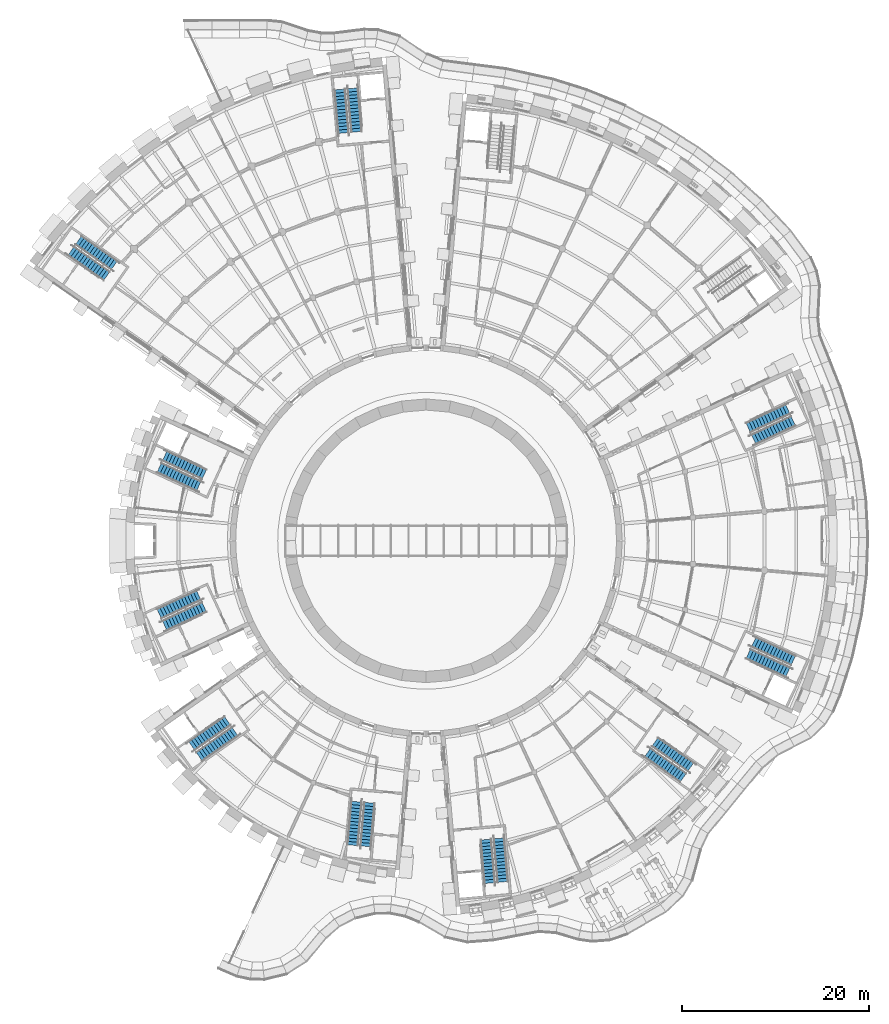
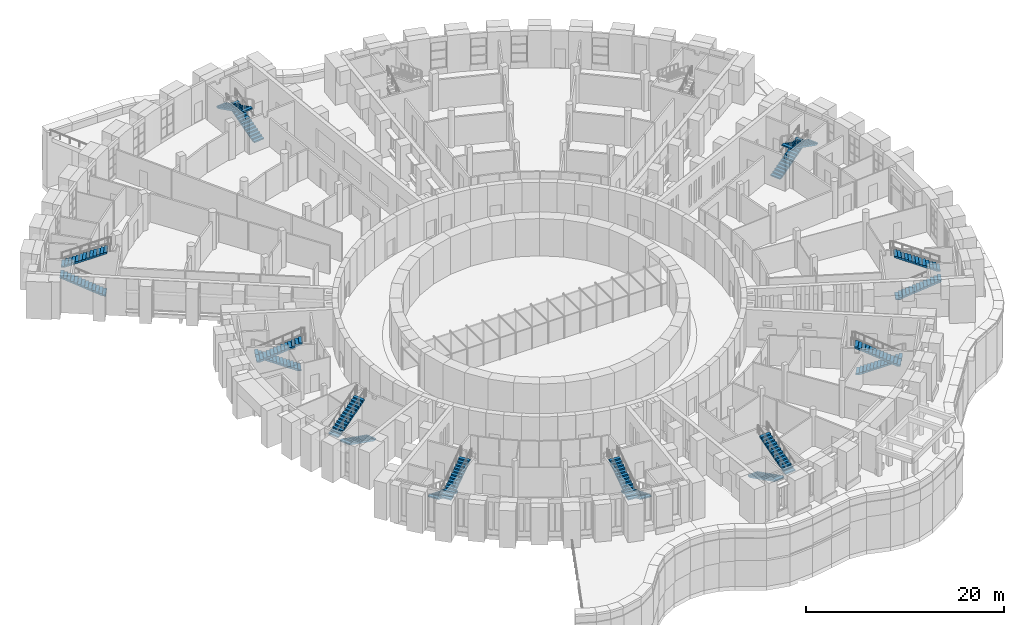
# One storey, part 62 of 85: 20 stair flights, 10 elements without a shape of their own.
"""IFC4 building model written with IfcOpenShell, lengths in metres."""

from ifc_helpers import new_model, si_unit, direction, frame, origin, place, context, subcontext, project, spatial, polyline, outline, extrude, material, type_object, element, aggregate, save


model = new_model("IFC4")

# Units and contexts
model_context = context("Model", 3, precision=1e-05, world=origin(), true_north=direction((0.0, 1.0)))
body_context = subcontext(model_context, "Body", "Model", "MODEL_VIEW")
ifc_project = project(units=[si_unit("LENGTHUNIT", "METRE"), si_unit("AREAUNIT", "SQUARE_METRE"), si_unit("VOLUMEUNIT", "CUBIC_METRE"), si_unit("PLANEANGLEUNIT", "RADIAN"), si_unit("MASSUNIT", "GRAM", prefix="KILO")], contexts=[model_context])

# Site, building, storey
site_placement = place(None, origin())
site = spatial("IfcSite", under=ifc_project, at=site_placement, CompositionType="ELEMENT")
building_placement = place(site_placement, origin())
building = spatial("IfcBuilding", under=site, at=building_placement, Name="Volute Hill Aquarium", CompositionType="ELEMENT")
storey_placement = place(building_placement, origin())
storey = spatial("IfcBuildingStorey", under=building, at=storey_placement, Name="L01", CompositionType="ELEMENT", Elevation=0.0)

# Stair, stair flights
ifc_material_1 = material(Name="Concrete C35/45", Category="concrete")
stair_type = type_object("IfcStairType", Name="Stair C35/45", PredefinedType="HALF_TURN_STAIR", material=ifc_material_1)
stair_1_placement = place(storey_placement, origin())
stair_1 = element("IfcStair", 1, at=stair_1_placement, inside=storey, type_object=stair_type, Name="ST/S1-A/L01", PredefinedType="HALF_TURN_STAIR")
ifc_material_2 = material(Name="Concrete C35/45", Category="concrete")
stair_flight_type = type_object("IfcStairFlightType", Name="Stair flight C35/45", PredefinedType="STRAIGHT", material=ifc_material_2)
stair_flight_1_placement = place(storey_placement, frame((-23.771240234375, 7.112548828125, 0.0), z_axis=(0.0, 0.0, 1.0), x_axis=(-0.906331248317, 0.422567945217, 0.0)))
stair_flight_1 = element("IfcStairFlight", 2, at=stair_flight_1_placement, type_object=stair_flight_type, Name="ST-S1-A-01 flight 1", NumberOfRisers=14, NumberOfTreads=13, PredefinedType="STRAIGHT", RiserHeight=0.164285714, TreadLength=0.36, context=body_context, shape_type="SweptSolid", body=[
    extrude(outline(polyline([(0.0, 0.0), (0.0, 0.164306640625), (0.360107421875, 0.164306640625), (0.360107421875, 0.32861328125), (0.719970703125, 0.32861328125), (0.719970703125, 0.492919921875), (1.080078125, 0.492919921875), (1.080078125, 0.6572265625), (1.43994140625, 0.6572265625), (1.43994140625, 0.821533203125), (1.800048828125, 0.821533203125), (1.800048828125, 0.985595703125), (2.159912109375, 0.985595703125), (2.159912109375, 1.14990234375), (2.52001953125, 1.14990234375), (2.52001953125, 1.314208984375), (2.8798828125, 1.314208984375), (2.8798828125, 1.478515625), (3.239990234375, 1.478515625), (3.239990234375, 1.642822265625), (3.60009765625, 1.642822265625), (3.60009765625, 1.80712890625), (3.9599609375, 1.80712890625), (3.9599609375, 1.971435546875), (4.320068359375, 1.971435546875), (4.320068359375, 2.1357421875), (4.679931640625, 2.1357421875), (4.679931640625, 2.300048828125), (4.679931640625, 1.970947265625), (0.361083984375, 0.0), (0.0, 0.0)])), frame((0.0, 0.60009765625, 0.0), z_axis=(0.0, -1.0, 0.0), x_axis=(1.0, 0.0, 0.0)), (0.0, 0.0, 1.0), 1.199951171875),
])
stair_flight_2_placement = place(storey_placement, frame((-28.6044921875, 7.821533203125, 2.300048828125), z_axis=(0.0, 0.0, 1.0), x_axis=(0.906331248317, -0.422567945217, 0.0)))
stair_flight_2 = element("IfcStairFlight", 3, at=stair_flight_2_placement, type_object=stair_flight_type, Name="ST-S1-A-01 flight 2", NumberOfRisers=14, NumberOfTreads=13, PredefinedType="STRAIGHT", RiserHeight=0.164285714, TreadLength=0.36, context=body_context, shape_type="SweptSolid", body=[
    extrude(outline(polyline([(0.0, 0.0), (0.0, 0.164306640625), (0.360107421875, 0.164306640625), (0.360107421875, 0.32861328125), (0.719970703125, 0.32861328125), (0.719970703125, 0.492919921875), (1.080078125, 0.492919921875), (1.080078125, 0.6572265625), (1.43994140625, 0.6572265625), (1.43994140625, 0.821533203125), (1.800048828125, 0.821533203125), (1.800048828125, 0.985595703125), (2.159912109375, 0.985595703125), (2.159912109375, 1.14990234375), (2.52001953125, 1.14990234375), (2.52001953125, 1.314208984375), (2.8798828125, 1.314208984375), (2.8798828125, 1.478515625), (3.239990234375, 1.478515625), (3.239990234375, 1.642822265625), (3.60009765625, 1.642822265625), (3.60009765625, 1.80712890625), (3.9599609375, 1.80712890625), (3.9599609375, 1.971435546875), (4.320068359375, 1.971435546875), (4.320068359375, 2.1357421875), (4.679931640625, 2.1357421875), (4.679931640625, 2.300048828125), (4.679931640625, 1.970947265625), (0.361083984375, 0.0), (0.0, 0.0)])), frame((0.0, 0.60009765625, 0.0), z_axis=(0.0, -1.0, 0.0), x_axis=(1.0, 0.0, 0.0)), (0.0, 0.0, 1.0), 1.199951171875),
])
aggregate(stair_1, [stair_flight_1, stair_flight_2])

stair_2_placement = place(storey_placement, origin())
stair_2 = element("IfcStair", 4, at=stair_2_placement, inside=storey, type_object=stair_type, Name="ST/S1-B/L01", PredefinedType="HALF_TURN_STAIR")
stair_flight_3_placement = place(storey_placement, frame((-23.771240234375, -7.112548828125, 0.0), z_axis=(0.0, 0.0, 1.0), x_axis=(-0.906331248317, -0.422567945217, 0.0)))
stair_flight_3 = element("IfcStairFlight", 5, at=stair_flight_3_placement, type_object=stair_flight_type, Name="ST-S1-B-01 flight 1", NumberOfRisers=14, NumberOfTreads=13, PredefinedType="STRAIGHT", RiserHeight=0.164285714, TreadLength=0.36, context=body_context, shape_type="SweptSolid", body=[
    extrude(outline(polyline([(0.0, 0.0), (0.0, 0.164306640625), (0.360107421875, 0.164306640625), (0.360107421875, 0.32861328125), (0.719970703125, 0.32861328125), (0.719970703125, 0.492919921875), (1.080078125, 0.492919921875), (1.080078125, 0.6572265625), (1.43994140625, 0.6572265625), (1.43994140625, 0.821533203125), (1.800048828125, 0.821533203125), (1.800048828125, 0.985595703125), (2.159912109375, 0.985595703125), (2.159912109375, 1.14990234375), (2.52001953125, 1.14990234375), (2.52001953125, 1.314208984375), (2.8798828125, 1.314208984375), (2.8798828125, 1.478515625), (3.239990234375, 1.478515625), (3.239990234375, 1.642822265625), (3.60009765625, 1.642822265625), (3.60009765625, 1.80712890625), (3.9599609375, 1.80712890625), (3.9599609375, 1.971435546875), (4.320068359375, 1.971435546875), (4.320068359375, 2.1357421875), (4.679931640625, 2.1357421875), (4.679931640625, 2.300048828125), (4.679931640625, 1.970947265625), (0.361083984375, 0.0), (0.0, 0.0)])), frame((0.0, 0.60009765625, 0.0), z_axis=(0.0, -1.0, 0.0), x_axis=(1.0, 0.0, 0.0)), (0.0, 0.0, 1.0), 1.199951171875),
])
stair_flight_4_placement = place(storey_placement, frame((-28.6044921875, -7.821533203125, 2.300048828125), z_axis=(0.0, 0.0, 1.0), x_axis=(0.906331248317, 0.422567945217, 0.0)))
stair_flight_4 = element("IfcStairFlight", 6, at=stair_flight_4_placement, type_object=stair_flight_type, Name="ST-S1-B-01 flight 2", NumberOfRisers=14, NumberOfTreads=13, PredefinedType="STRAIGHT", RiserHeight=0.164285714, TreadLength=0.36, context=body_context, shape_type="SweptSolid", body=[
    extrude(outline(polyline([(0.0, 0.0), (0.0, 0.164306640625), (0.360107421875, 0.164306640625), (0.360107421875, 0.32861328125), (0.719970703125, 0.32861328125), (0.719970703125, 0.492919921875), (1.080078125, 0.492919921875), (1.080078125, 0.6572265625), (1.43994140625, 0.6572265625), (1.43994140625, 0.821533203125), (1.800048828125, 0.821533203125), (1.800048828125, 0.985595703125), (2.159912109375, 0.985595703125), (2.159912109375, 1.14990234375), (2.52001953125, 1.14990234375), (2.52001953125, 1.314208984375), (2.8798828125, 1.314208984375), (2.8798828125, 1.478515625), (3.239990234375, 1.478515625), (3.239990234375, 1.642822265625), (3.60009765625, 1.642822265625), (3.60009765625, 1.80712890625), (3.9599609375, 1.80712890625), (3.9599609375, 1.971435546875), (4.320068359375, 1.971435546875), (4.320068359375, 2.1357421875), (4.679931640625, 2.1357421875), (4.679931640625, 2.300048828125), (4.679931640625, 1.970947265625), (0.361083984375, 0.0), (0.0, 0.0)])), frame((0.0, 0.60009765625, 0.0), z_axis=(0.0, -1.0, 0.0), x_axis=(1.0, 0.0, 0.0)), (0.0, 0.0, 1.0), 1.199951171875),
])
aggregate(stair_2, [stair_flight_3, stair_flight_4])

stair_3_placement = place(storey_placement, origin())
stair_3 = element("IfcStair", 7, at=stair_3_placement, inside=storey, type_object=stair_type, Name="ST/S2-A/L01", PredefinedType="HALF_TURN_STAIR")
stair_flight_5_placement = place(storey_placement, frame((-21.281005859375, -19.2958984375, 0.0), z_axis=(0.0, 0.0, 1.0), x_axis=(-0.819203731484, -0.573502612306, 0.0)))
stair_flight_5 = element("IfcStairFlight", 8, at=stair_flight_5_placement, type_object=stair_flight_type, Name="ST-S2-A-01 flight 1", NumberOfRisers=14, NumberOfTreads=13, PredefinedType="STRAIGHT", RiserHeight=0.164285714, TreadLength=0.36, context=body_context, shape_type="SweptSolid", body=[
    extrude(outline(polyline([(0.0, 0.0), (0.0, 0.164306640625), (0.360107421875, 0.164306640625), (0.360107421875, 0.32861328125), (0.719970703125, 0.32861328125), (0.719970703125, 0.492919921875), (1.080078125, 0.492919921875), (1.080078125, 0.6572265625), (1.43994140625, 0.6572265625), (1.43994140625, 0.821533203125), (1.800048828125, 0.821533203125), (1.800048828125, 0.985595703125), (2.159912109375, 0.985595703125), (2.159912109375, 1.14990234375), (2.52001953125, 1.14990234375), (2.52001953125, 1.314208984375), (2.8798828125, 1.314208984375), (2.8798828125, 1.478515625), (3.239990234375, 1.478515625), (3.239990234375, 1.642822265625), (3.60009765625, 1.642822265625), (3.60009765625, 1.80712890625), (3.9599609375, 1.80712890625), (3.9599609375, 1.971435546875), (4.320068359375, 1.971435546875), (4.320068359375, 2.1357421875), (4.679931640625, 2.1357421875), (4.679931640625, 2.300048828125), (4.679931640625, 1.970947265625), (0.361083984375, 0.0), (0.0, 0.0)])), frame((0.0, 0.60009765625, 0.0), z_axis=(0.0, -1.0, 0.0), x_axis=(1.0, 0.0, 0.0)), (0.0, 0.0, 1.0), 1.199951171875),
])
stair_flight_6_placement = place(storey_placement, frame((-24.3115234375, -23.126953125, 2.300048828125), z_axis=(0.0, 0.0, 1.0), x_axis=(0.819203731484, 0.573502612306, 0.0)))
stair_flight_6 = element("IfcStairFlight", 9, at=stair_flight_6_placement, type_object=stair_flight_type, Name="ST-S2-A-01 flight 2", NumberOfRisers=14, NumberOfTreads=13, PredefinedType="STRAIGHT", RiserHeight=0.164285714, TreadLength=0.36, context=body_context, shape_type="SweptSolid", body=[
    extrude(outline(polyline([(0.0, 0.0), (0.0, 0.164306640625), (0.360107421875, 0.164306640625), (0.360107421875, 0.32861328125), (0.719970703125, 0.32861328125), (0.719970703125, 0.492919921875), (1.080078125, 0.492919921875), (1.080078125, 0.6572265625), (1.43994140625, 0.6572265625), (1.43994140625, 0.821533203125), (1.800048828125, 0.821533203125), (1.800048828125, 0.985595703125), (2.159912109375, 0.985595703125), (2.159912109375, 1.14990234375), (2.52001953125, 1.14990234375), (2.52001953125, 1.314208984375), (2.8798828125, 1.314208984375), (2.8798828125, 1.478515625), (3.239990234375, 1.478515625), (3.239990234375, 1.642822265625), (3.60009765625, 1.642822265625), (3.60009765625, 1.80712890625), (3.9599609375, 1.80712890625), (3.9599609375, 1.971435546875), (4.320068359375, 1.971435546875), (4.320068359375, 2.1357421875), (4.679931640625, 2.1357421875), (4.679931640625, 2.300048828125), (4.679931640625, 1.970947265625), (0.361083984375, 0.0), (0.0, 0.0)])), frame((0.0, 0.60009765625, 0.0), z_axis=(0.0, -1.0, 0.0), x_axis=(1.0, 0.0, 0.0)), (0.0, 0.0, 1.0), 1.199951171875),
])
aggregate(stair_3, [stair_flight_5, stair_flight_6])

stair_4_placement = place(storey_placement, origin())
stair_4 = element("IfcStair", 10, at=stair_4_placement, inside=storey, type_object=stair_type, Name="ST/S2-B/L01", PredefinedType="HALF_TURN_STAIR")
stair_flight_7_placement = place(storey_placement, frame((-6.0703125, -28.077880859375, 0.0), z_axis=(0.0, 0.0, 1.0), x_axis=(-0.087099962987, -0.996199576615, 0.0)))
stair_flight_7 = element("IfcStairFlight", 11, at=stair_flight_7_placement, type_object=stair_flight_type, Name="ST-S2-B-01 flight 1", NumberOfRisers=14, NumberOfTreads=13, PredefinedType="STRAIGHT", RiserHeight=0.164285714, TreadLength=0.36, context=body_context, shape_type="SweptSolid", body=[
    extrude(outline(polyline([(0.0, 0.0), (0.0, 0.164306640625), (0.360107421875, 0.164306640625), (0.360107421875, 0.32861328125), (0.719970703125, 0.32861328125), (0.719970703125, 0.492919921875), (1.080078125, 0.492919921875), (1.080078125, 0.6572265625), (1.43994140625, 0.6572265625), (1.43994140625, 0.821533203125), (1.800048828125, 0.821533203125), (1.800048828125, 0.985595703125), (2.159912109375, 0.985595703125), (2.159912109375, 1.14990234375), (2.52001953125, 1.14990234375), (2.52001953125, 1.314208984375), (2.8798828125, 1.314208984375), (2.8798828125, 1.478515625), (3.239990234375, 1.478515625), (3.239990234375, 1.642822265625), (3.60009765625, 1.642822265625), (3.60009765625, 1.80712890625), (3.9599609375, 1.80712890625), (3.9599609375, 1.971435546875), (4.320068359375, 1.971435546875), (4.320068359375, 2.1357421875), (4.679931640625, 2.1357421875), (4.679931640625, 2.300048828125), (4.679931640625, 1.970947265625), (0.361083984375, 0.0), (0.0, 0.0)])), frame((0.0, 0.60009765625, 0.0), z_axis=(0.0, -1.0, 0.0), x_axis=(1.0, 0.0, 0.0)), (0.0, 0.0, 1.0), 1.199951171875),
])
stair_flight_8_placement = place(storey_placement, frame((-7.872802734375, -32.617919921875, 2.300048828125), z_axis=(0.0, 0.0, 1.0), x_axis=(0.087099962987, 0.996199576615, 0.0)))
stair_flight_8 = element("IfcStairFlight", 12, at=stair_flight_8_placement, type_object=stair_flight_type, Name="ST-S2-B-01 flight 2", NumberOfRisers=14, NumberOfTreads=13, PredefinedType="STRAIGHT", RiserHeight=0.164285714, TreadLength=0.36, context=body_context, shape_type="SweptSolid", body=[
    extrude(outline(polyline([(0.0, 0.0), (0.0, 0.164306640625), (0.360107421875, 0.164306640625), (0.360107421875, 0.32861328125), (0.719970703125, 0.32861328125), (0.719970703125, 0.492919921875), (1.080078125, 0.492919921875), (1.080078125, 0.6572265625), (1.43994140625, 0.6572265625), (1.43994140625, 0.821533203125), (1.800048828125, 0.821533203125), (1.800048828125, 0.985595703125), (2.159912109375, 0.985595703125), (2.159912109375, 1.14990234375), (2.52001953125, 1.14990234375), (2.52001953125, 1.314208984375), (2.8798828125, 1.314208984375), (2.8798828125, 1.478515625), (3.239990234375, 1.478515625), (3.239990234375, 1.642822265625), (3.60009765625, 1.642822265625), (3.60009765625, 1.80712890625), (3.9599609375, 1.80712890625), (3.9599609375, 1.971435546875), (4.320068359375, 1.971435546875), (4.320068359375, 2.1357421875), (4.679931640625, 2.1357421875), (4.679931640625, 2.300048828125), (4.679931640625, 1.970947265625), (0.361083984375, 0.0), (0.0, 0.0)])), frame((0.0, 0.60009765625, 0.0), z_axis=(0.0, -1.0, 0.0), x_axis=(1.0, 0.0, 0.0)), (0.0, 0.0, 1.0), 1.199951171875),
])
aggregate(stair_4, [stair_flight_7, stair_flight_8])

stair_5_placement = place(storey_placement, origin())
stair_5 = element("IfcStair", 13, at=stair_5_placement, inside=storey, type_object=stair_type, Name="ST/S3-A/L01", PredefinedType="HALF_TURN_STAIR")
stair_flight_9_placement = place(storey_placement, frame((6.41455078125, -32.0126953125, 0.0), z_axis=(0.0, 0.0, 1.0), x_axis=(0.087199203008, -0.996190894856, 0.0)))
stair_flight_9 = element("IfcStairFlight", 14, at=stair_flight_9_placement, type_object=stair_flight_type, Name="ST-S3-A-01 flight 1", NumberOfRisers=14, NumberOfTreads=13, PredefinedType="STRAIGHT", RiserHeight=0.164285714, TreadLength=0.36, context=body_context, shape_type="SweptSolid", body=[
    extrude(outline(polyline([(0.0, 0.0), (0.0, 0.164306640625), (0.360107421875, 0.164306640625), (0.360107421875, 0.32861328125), (0.719970703125, 0.32861328125), (0.719970703125, 0.492919921875), (1.080078125, 0.492919921875), (1.080078125, 0.6572265625), (1.43994140625, 0.6572265625), (1.43994140625, 0.821533203125), (1.800048828125, 0.821533203125), (1.800048828125, 0.985595703125), (2.159912109375, 0.985595703125), (2.159912109375, 1.14990234375), (2.52001953125, 1.14990234375), (2.52001953125, 1.314208984375), (2.8798828125, 1.314208984375), (2.8798828125, 1.478515625), (3.239990234375, 1.478515625), (3.239990234375, 1.642822265625), (3.60009765625, 1.642822265625), (3.60009765625, 1.80712890625), (3.9599609375, 1.80712890625), (3.9599609375, 1.971435546875), (4.320068359375, 1.971435546875), (4.320068359375, 2.1357421875), (4.679931640625, 2.1357421875), (4.679931640625, 2.300048828125), (4.679931640625, 1.970947265625), (0.361083984375, 0.0), (0.0, 0.0)])), frame((0.0, 0.60009765625, 0.0), z_axis=(0.0, -1.0, 0.0), x_axis=(1.0, 0.0, 0.0)), (0.0, 0.0, 1.0), 1.199951171875),
])
stair_flight_10_placement = place(storey_placement, frame((8.217041015625, -36.552978515625, 2.300048828125), z_axis=(0.0, 0.0, 1.0), x_axis=(-0.087199203008, 0.996190894856, 0.0)))
stair_flight_10 = element("IfcStairFlight", 15, at=stair_flight_10_placement, type_object=stair_flight_type, Name="ST-S3-A-01 flight 2", NumberOfRisers=14, NumberOfTreads=13, PredefinedType="STRAIGHT", RiserHeight=0.164285714, TreadLength=0.36, context=body_context, shape_type="SweptSolid", body=[
    extrude(outline(polyline([(0.0, 0.0), (0.0, 0.164306640625), (0.360107421875, 0.164306640625), (0.360107421875, 0.32861328125), (0.719970703125, 0.32861328125), (0.719970703125, 0.492919921875), (1.080078125, 0.492919921875), (1.080078125, 0.6572265625), (1.43994140625, 0.6572265625), (1.43994140625, 0.821533203125), (1.800048828125, 0.821533203125), (1.800048828125, 0.985595703125), (2.159912109375, 0.985595703125), (2.159912109375, 1.14990234375), (2.52001953125, 1.14990234375), (2.52001953125, 1.314208984375), (2.8798828125, 1.314208984375), (2.8798828125, 1.478515625), (3.239990234375, 1.478515625), (3.239990234375, 1.642822265625), (3.60009765625, 1.642822265625), (3.60009765625, 1.80712890625), (3.9599609375, 1.80712890625), (3.9599609375, 1.971435546875), (4.320068359375, 1.971435546875), (4.320068359375, 2.1357421875), (4.679931640625, 2.1357421875), (4.679931640625, 2.300048828125), (4.679931640625, 1.970947265625), (0.361083984375, 0.0), (0.0, 0.0)])), frame((0.0, 0.60009765625, 0.0), z_axis=(0.0, -1.0, 0.0), x_axis=(1.0, 0.0, 0.0)), (0.0, 0.0, 1.0), 1.199951171875),
])
aggregate(stair_5, [stair_flight_9, stair_flight_10])

stair_6_placement = place(storey_placement, origin())
stair_6 = element("IfcStair", 16, at=stair_6_placement, inside=storey, type_object=stair_type, Name="ST/S3-B/L01", PredefinedType="HALF_TURN_STAIR")
stair_flight_11_placement = place(storey_placement, frame((24.5166015625, -21.5615234375, 0.0), z_axis=(0.0, 0.0, 1.0), x_axis=(0.81912384914, -0.573616701091, 0.0)))
stair_flight_11 = element("IfcStairFlight", 17, at=stair_flight_11_placement, type_object=stair_flight_type, Name="ST-S3-B-01 flight 1", NumberOfRisers=14, NumberOfTreads=13, PredefinedType="STRAIGHT", RiserHeight=0.164285714, TreadLength=0.36, context=body_context, shape_type="SweptSolid", body=[
    extrude(outline(polyline([(0.0, 0.0), (0.0, 0.164306640625), (0.360107421875, 0.164306640625), (0.360107421875, 0.32861328125), (0.719970703125, 0.32861328125), (0.719970703125, 0.492919921875), (1.080078125, 0.492919921875), (1.080078125, 0.6572265625), (1.43994140625, 0.6572265625), (1.43994140625, 0.821533203125), (1.800048828125, 0.821533203125), (1.800048828125, 0.985595703125), (2.159912109375, 0.985595703125), (2.159912109375, 1.14990234375), (2.52001953125, 1.14990234375), (2.52001953125, 1.314208984375), (2.8798828125, 1.314208984375), (2.8798828125, 1.478515625), (3.239990234375, 1.478515625), (3.239990234375, 1.642822265625), (3.60009765625, 1.642822265625), (3.60009765625, 1.80712890625), (3.9599609375, 1.80712890625), (3.9599609375, 1.971435546875), (4.320068359375, 1.971435546875), (4.320068359375, 2.1357421875), (4.679931640625, 2.1357421875), (4.679931640625, 2.300048828125), (4.679931640625, 1.970947265625), (0.361083984375, 0.0), (0.0, 0.0)])), frame((0.0, 0.60009765625, 0.0), z_axis=(0.0, -1.0, 0.0), x_axis=(1.0, 0.0, 0.0)), (0.0, 0.0, 1.0), 1.199951171875),
])
stair_flight_12_placement = place(storey_placement, frame((27.547119140625, -25.392578125, 2.300048828125), z_axis=(0.0, 0.0, 1.0), x_axis=(-0.81912384914, 0.573616701091, 0.0)))
stair_flight_12 = element("IfcStairFlight", 18, at=stair_flight_12_placement, type_object=stair_flight_type, Name="ST-S3-B-01 flight 2", NumberOfRisers=14, NumberOfTreads=13, PredefinedType="STRAIGHT", RiserHeight=0.164285714, TreadLength=0.36, context=body_context, shape_type="SweptSolid", body=[
    extrude(outline(polyline([(0.0, 0.0), (0.0, 0.164306640625), (0.360107421875, 0.164306640625), (0.360107421875, 0.32861328125), (0.719970703125, 0.32861328125), (0.719970703125, 0.492919921875), (1.080078125, 0.492919921875), (1.080078125, 0.6572265625), (1.43994140625, 0.6572265625), (1.43994140625, 0.821533203125), (1.800048828125, 0.821533203125), (1.800048828125, 0.985595703125), (2.159912109375, 0.985595703125), (2.159912109375, 1.14990234375), (2.52001953125, 1.14990234375), (2.52001953125, 1.314208984375), (2.8798828125, 1.314208984375), (2.8798828125, 1.478515625), (3.239990234375, 1.478515625), (3.239990234375, 1.642822265625), (3.60009765625, 1.642822265625), (3.60009765625, 1.80712890625), (3.9599609375, 1.80712890625), (3.9599609375, 1.971435546875), (4.320068359375, 1.971435546875), (4.320068359375, 2.1357421875), (4.679931640625, 2.1357421875), (4.679931640625, 2.300048828125), (4.679931640625, 1.970947265625), (0.361083984375, 0.0), (0.0, 0.0)])), frame((0.0, 0.60009765625, 0.0), z_axis=(0.0, -1.0, 0.0), x_axis=(1.0, 0.0, 0.0)), (0.0, 0.0, 1.0), 1.199951171875),
])
aggregate(stair_6, [stair_flight_11, stair_flight_12])

stair_7_placement = place(storey_placement, origin())
stair_7 = element("IfcStair", 19, at=stair_7_placement, inside=storey, type_object=stair_type, Name="ST/S4-A/L01", PredefinedType="HALF_TURN_STAIR")
stair_flight_13_placement = place(storey_placement, frame((34.510986328125, -12.12060546875, 0.0), z_axis=(0.0, 0.0, 1.0), x_axis=(0.906313390882, -0.422606244047, 0.0)))
stair_flight_13 = element("IfcStairFlight", 20, at=stair_flight_13_placement, type_object=stair_flight_type, Name="ST-S4-A-01 flight 1", NumberOfRisers=14, NumberOfTreads=13, PredefinedType="STRAIGHT", RiserHeight=0.164285714, TreadLength=0.36, context=body_context, shape_type="SweptSolid", body=[
    extrude(outline(polyline([(0.0, 0.0), (0.0, 0.164306640625), (0.360107421875, 0.164306640625), (0.360107421875, 0.32861328125), (0.719970703125, 0.32861328125), (0.719970703125, 0.492919921875), (1.080078125, 0.492919921875), (1.080078125, 0.6572265625), (1.43994140625, 0.6572265625), (1.43994140625, 0.821533203125), (1.800048828125, 0.821533203125), (1.800048828125, 0.985595703125), (2.159912109375, 0.985595703125), (2.159912109375, 1.14990234375), (2.52001953125, 1.14990234375), (2.52001953125, 1.314208984375), (2.8798828125, 1.314208984375), (2.8798828125, 1.478515625), (3.239990234375, 1.478515625), (3.239990234375, 1.642822265625), (3.60009765625, 1.642822265625), (3.60009765625, 1.80712890625), (3.9599609375, 1.80712890625), (3.9599609375, 1.971435546875), (4.320068359375, 1.971435546875), (4.320068359375, 2.1357421875), (4.679931640625, 2.1357421875), (4.679931640625, 2.300048828125), (4.679931640625, 1.970947265625), (0.361083984375, 0.0), (0.0, 0.0)])), frame((0.0, 0.60009765625, 0.0), z_axis=(0.0, -1.0, 0.0), x_axis=(1.0, 0.0, 0.0)), (0.0, 0.0, 1.0), 1.199951171875),
])
stair_flight_14_placement = place(storey_placement, frame((39.34423828125, -12.82958984375, 2.300048828125), z_axis=(0.0, 0.0, 1.0), x_axis=(-0.906313390882, 0.422606244047, 0.0)))
stair_flight_14 = element("IfcStairFlight", 21, at=stair_flight_14_placement, type_object=stair_flight_type, Name="ST-S4-A-01 flight 2", NumberOfRisers=14, NumberOfTreads=13, PredefinedType="STRAIGHT", RiserHeight=0.164285714, TreadLength=0.36, context=body_context, shape_type="SweptSolid", body=[
    extrude(outline(polyline([(0.0, 0.0), (0.0, 0.164306640625), (0.360107421875, 0.164306640625), (0.360107421875, 0.32861328125), (0.719970703125, 0.32861328125), (0.719970703125, 0.492919921875), (1.080078125, 0.492919921875), (1.080078125, 0.6572265625), (1.43994140625, 0.6572265625), (1.43994140625, 0.821533203125), (1.800048828125, 0.821533203125), (1.800048828125, 0.985595703125), (2.159912109375, 0.985595703125), (2.159912109375, 1.14990234375), (2.52001953125, 1.14990234375), (2.52001953125, 1.314208984375), (2.8798828125, 1.314208984375), (2.8798828125, 1.478515625), (3.239990234375, 1.478515625), (3.239990234375, 1.642822265625), (3.60009765625, 1.642822265625), (3.60009765625, 1.80712890625), (3.9599609375, 1.80712890625), (3.9599609375, 1.971435546875), (4.320068359375, 1.971435546875), (4.320068359375, 2.1357421875), (4.679931640625, 2.1357421875), (4.679931640625, 2.300048828125), (4.679931640625, 1.970947265625), (0.361083984375, 0.0), (0.0, 0.0)])), frame((0.0, 0.60009765625, 0.0), z_axis=(0.0, -1.0, 0.0), x_axis=(1.0, 0.0, 0.0)), (0.0, 0.0, 1.0), 1.199951171875),
])
aggregate(stair_7, [stair_flight_13, stair_flight_14])

stair_8_placement = place(storey_placement, origin())
stair_8 = element("IfcStair", 22, at=stair_8_placement, inside=storey, type_object=stair_type, Name="ST/S4-B/L01", PredefinedType="HALF_TURN_STAIR")
stair_flight_15_placement = place(storey_placement, frame((34.510986328125, 12.12060546875, 0.0), z_axis=(0.0, 0.0, 1.0), x_axis=(0.906313390882, 0.422606244047, 0.0)))
stair_flight_15 = element("IfcStairFlight", 23, at=stair_flight_15_placement, type_object=stair_flight_type, Name="ST-S4-B-01 flight 1", NumberOfRisers=14, NumberOfTreads=13, PredefinedType="STRAIGHT", RiserHeight=0.164285714, TreadLength=0.36, context=body_context, shape_type="SweptSolid", body=[
    extrude(outline(polyline([(0.0, 0.0), (0.0, 0.164306640625), (0.360107421875, 0.164306640625), (0.360107421875, 0.32861328125), (0.719970703125, 0.32861328125), (0.719970703125, 0.492919921875), (1.080078125, 0.492919921875), (1.080078125, 0.6572265625), (1.43994140625, 0.6572265625), (1.43994140625, 0.821533203125), (1.800048828125, 0.821533203125), (1.800048828125, 0.985595703125), (2.159912109375, 0.985595703125), (2.159912109375, 1.14990234375), (2.52001953125, 1.14990234375), (2.52001953125, 1.314208984375), (2.8798828125, 1.314208984375), (2.8798828125, 1.478515625), (3.239990234375, 1.478515625), (3.239990234375, 1.642822265625), (3.60009765625, 1.642822265625), (3.60009765625, 1.80712890625), (3.9599609375, 1.80712890625), (3.9599609375, 1.971435546875), (4.320068359375, 1.971435546875), (4.320068359375, 2.1357421875), (4.679931640625, 2.1357421875), (4.679931640625, 2.300048828125), (4.679931640625, 1.970947265625), (0.361083984375, 0.0), (0.0, 0.0)])), frame((0.0, 0.60009765625, 0.0), z_axis=(0.0, -1.0, 0.0), x_axis=(1.0, 0.0, 0.0)), (0.0, 0.0, 1.0), 1.199951171875),
])
stair_flight_16_placement = place(storey_placement, frame((39.34423828125, 12.82958984375, 2.300048828125), z_axis=(0.0, 0.0, 1.0), x_axis=(-0.906313390882, -0.422606244047, 0.0)))
stair_flight_16 = element("IfcStairFlight", 24, at=stair_flight_16_placement, type_object=stair_flight_type, Name="ST-S4-B-01 flight 2", NumberOfRisers=14, NumberOfTreads=13, PredefinedType="STRAIGHT", RiserHeight=0.164285714, TreadLength=0.36, context=body_context, shape_type="SweptSolid", body=[
    extrude(outline(polyline([(0.0, 0.0), (0.0, 0.164306640625), (0.360107421875, 0.164306640625), (0.360107421875, 0.32861328125), (0.719970703125, 0.32861328125), (0.719970703125, 0.492919921875), (1.080078125, 0.492919921875), (1.080078125, 0.6572265625), (1.43994140625, 0.6572265625), (1.43994140625, 0.821533203125), (1.800048828125, 0.821533203125), (1.800048828125, 0.985595703125), (2.159912109375, 0.985595703125), (2.159912109375, 1.14990234375), (2.52001953125, 1.14990234375), (2.52001953125, 1.314208984375), (2.8798828125, 1.314208984375), (2.8798828125, 1.478515625), (3.239990234375, 1.478515625), (3.239990234375, 1.642822265625), (3.60009765625, 1.642822265625), (3.60009765625, 1.80712890625), (3.9599609375, 1.80712890625), (3.9599609375, 1.971435546875), (4.320068359375, 1.971435546875), (4.320068359375, 2.1357421875), (4.679931640625, 2.1357421875), (4.679931640625, 2.300048828125), (4.679931640625, 1.970947265625), (0.361083984375, 0.0), (0.0, 0.0)])), frame((0.0, 0.60009765625, 0.0), z_axis=(0.0, -1.0, 0.0), x_axis=(1.0, 0.0, 0.0)), (0.0, 0.0, 1.0), 1.199951171875),
])
aggregate(stair_8, [stair_flight_15, stair_flight_16])

stair_9_placement = place(storey_placement, origin())
stair_9 = element("IfcStair", 25, at=stair_9_placement, inside=storey, type_object=stair_type, Name="ST/S6-A/L01", PredefinedType="HALF_TURN_STAIR")
stair_flight_17_placement = place(storey_placement, frame((-7.447265625, 43.817626953125, 0.0), z_axis=(0.0, 0.0, 1.0), x_axis=(-0.087199203008, 0.996190894856, 0.0)))
stair_flight_17 = element("IfcStairFlight", 26, at=stair_flight_17_placement, type_object=stair_flight_type, Name="ST-S6-A-01 flight 1", NumberOfRisers=14, NumberOfTreads=13, PredefinedType="STRAIGHT", RiserHeight=0.164285714, TreadLength=0.36, context=body_context, shape_type="SweptSolid", body=[
    extrude(outline(polyline([(0.0, 0.0), (0.0, 0.164306640625), (0.360107421875, 0.164306640625), (0.360107421875, 0.32861328125), (0.719970703125, 0.32861328125), (0.719970703125, 0.492919921875), (1.080078125, 0.492919921875), (1.080078125, 0.6572265625), (1.43994140625, 0.6572265625), (1.43994140625, 0.821533203125), (1.800048828125, 0.821533203125), (1.800048828125, 0.985595703125), (2.159912109375, 0.985595703125), (2.159912109375, 1.14990234375), (2.52001953125, 1.14990234375), (2.52001953125, 1.314208984375), (2.8798828125, 1.314208984375), (2.8798828125, 1.478515625), (3.239990234375, 1.478515625), (3.239990234375, 1.642822265625), (3.60009765625, 1.642822265625), (3.60009765625, 1.80712890625), (3.9599609375, 1.80712890625), (3.9599609375, 1.971435546875), (4.320068359375, 1.971435546875), (4.320068359375, 2.1357421875), (4.679931640625, 2.1357421875), (4.679931640625, 2.300048828125), (4.679931640625, 1.970947265625), (0.361083984375, 0.0), (0.0, 0.0)])), frame((0.0, 0.60009765625, 0.0), z_axis=(0.0, -1.0, 0.0), x_axis=(1.0, 0.0, 0.0)), (0.0, 0.0, 1.0), 1.199951171875),
])
stair_flight_18_placement = place(storey_placement, frame((-9.25, 48.35791015625, 2.300048828125), z_axis=(0.0, 0.0, 1.0), x_axis=(0.087199203008, -0.996190894856, 0.0)))
stair_flight_18 = element("IfcStairFlight", 27, at=stair_flight_18_placement, type_object=stair_flight_type, Name="ST-S6-A-01 flight 2", NumberOfRisers=14, NumberOfTreads=13, PredefinedType="STRAIGHT", RiserHeight=0.164285714, TreadLength=0.36, context=body_context, shape_type="SweptSolid", body=[
    extrude(outline(polyline([(0.0, 0.0), (0.0, 0.164306640625), (0.360107421875, 0.164306640625), (0.360107421875, 0.32861328125), (0.719970703125, 0.32861328125), (0.719970703125, 0.492919921875), (1.080078125, 0.492919921875), (1.080078125, 0.6572265625), (1.43994140625, 0.6572265625), (1.43994140625, 0.821533203125), (1.800048828125, 0.821533203125), (1.800048828125, 0.985595703125), (2.159912109375, 0.985595703125), (2.159912109375, 1.14990234375), (2.52001953125, 1.14990234375), (2.52001953125, 1.314208984375), (2.8798828125, 1.314208984375), (2.8798828125, 1.478515625), (3.239990234375, 1.478515625), (3.239990234375, 1.642822265625), (3.60009765625, 1.642822265625), (3.60009765625, 1.80712890625), (3.9599609375, 1.80712890625), (3.9599609375, 1.971435546875), (4.320068359375, 1.971435546875), (4.320068359375, 2.1357421875), (4.679931640625, 2.1357421875), (4.679931640625, 2.300048828125), (4.679931640625, 1.970947265625), (0.361083984375, 0.0), (0.0, 0.0)])), frame((0.0, 0.60009765625, 0.0), z_axis=(0.0, -1.0, 0.0), x_axis=(1.0, 0.0, 0.0)), (0.0, 0.0, 1.0), 1.199951171875),
])
aggregate(stair_9, [stair_flight_17, stair_flight_18])

stair_10_placement = place(storey_placement, origin())
stair_10 = element("IfcStair", 28, at=stair_10_placement, inside=storey, type_object=stair_type, Name="ST/S6-B/L01", PredefinedType="HALF_TURN_STAIR")
stair_flight_19_placement = place(storey_placement, frame((-34.2236328125, 28.3583984375, 0.0), z_axis=(0.0, 0.0, 1.0), x_axis=(-0.819203731484, 0.573502612306, 0.0)))
stair_flight_19 = element("IfcStairFlight", 29, at=stair_flight_19_placement, type_object=stair_flight_type, Name="ST-S6-B-01 flight 1", NumberOfRisers=14, NumberOfTreads=13, PredefinedType="STRAIGHT", RiserHeight=0.164285714, TreadLength=0.36, context=body_context, shape_type="SweptSolid", body=[
    extrude(outline(polyline([(0.0, 0.0), (0.0, 0.164306640625), (0.360107421875, 0.164306640625), (0.360107421875, 0.32861328125), (0.719970703125, 0.32861328125), (0.719970703125, 0.492919921875), (1.080078125, 0.492919921875), (1.080078125, 0.6572265625), (1.43994140625, 0.6572265625), (1.43994140625, 0.821533203125), (1.800048828125, 0.821533203125), (1.800048828125, 0.985595703125), (2.159912109375, 0.985595703125), (2.159912109375, 1.14990234375), (2.52001953125, 1.14990234375), (2.52001953125, 1.314208984375), (2.8798828125, 1.314208984375), (2.8798828125, 1.478515625), (3.239990234375, 1.478515625), (3.239990234375, 1.642822265625), (3.60009765625, 1.642822265625), (3.60009765625, 1.80712890625), (3.9599609375, 1.80712890625), (3.9599609375, 1.971435546875), (4.320068359375, 1.971435546875), (4.320068359375, 2.1357421875), (4.679931640625, 2.1357421875), (4.679931640625, 2.300048828125), (4.679931640625, 1.970947265625), (0.361083984375, 0.0), (0.0, 0.0)])), frame((0.0, 0.60009765625, 0.0), z_axis=(0.0, -1.0, 0.0), x_axis=(1.0, 0.0, 0.0)), (0.0, 0.0, 1.0), 1.199951171875),
])
stair_flight_20_placement = place(storey_placement, frame((-37.254150390625, 32.189453125, 2.300048828125), z_axis=(0.0, 0.0, 1.0), x_axis=(0.819203731484, -0.573502612306, 0.0)))
stair_flight_20 = element("IfcStairFlight", 30, at=stair_flight_20_placement, type_object=stair_flight_type, Name="ST-S6-B-01 flight 2", NumberOfRisers=14, NumberOfTreads=13, PredefinedType="STRAIGHT", RiserHeight=0.164285714, TreadLength=0.36, context=body_context, shape_type="SweptSolid", body=[
    extrude(outline(polyline([(0.0, 0.0), (0.0, 0.164306640625), (0.360107421875, 0.164306640625), (0.360107421875, 0.32861328125), (0.719970703125, 0.32861328125), (0.719970703125, 0.492919921875), (1.080078125, 0.492919921875), (1.080078125, 0.6572265625), (1.43994140625, 0.6572265625), (1.43994140625, 0.821533203125), (1.800048828125, 0.821533203125), (1.800048828125, 0.985595703125), (2.159912109375, 0.985595703125), (2.159912109375, 1.14990234375), (2.52001953125, 1.14990234375), (2.52001953125, 1.314208984375), (2.8798828125, 1.314208984375), (2.8798828125, 1.478515625), (3.239990234375, 1.478515625), (3.239990234375, 1.642822265625), (3.60009765625, 1.642822265625), (3.60009765625, 1.80712890625), (3.9599609375, 1.80712890625), (3.9599609375, 1.971435546875), (4.320068359375, 1.971435546875), (4.320068359375, 2.1357421875), (4.679931640625, 2.1357421875), (4.679931640625, 2.300048828125), (4.679931640625, 1.970947265625), (0.361083984375, 0.0), (0.0, 0.0)])), frame((0.0, 0.60009765625, 0.0), z_axis=(0.0, -1.0, 0.0), x_axis=(1.0, 0.0, 0.0)), (0.0, 0.0, 1.0), 1.199951171875),
])
aggregate(stair_10, [stair_flight_19, stair_flight_20])

save(model, "model.ifc")
